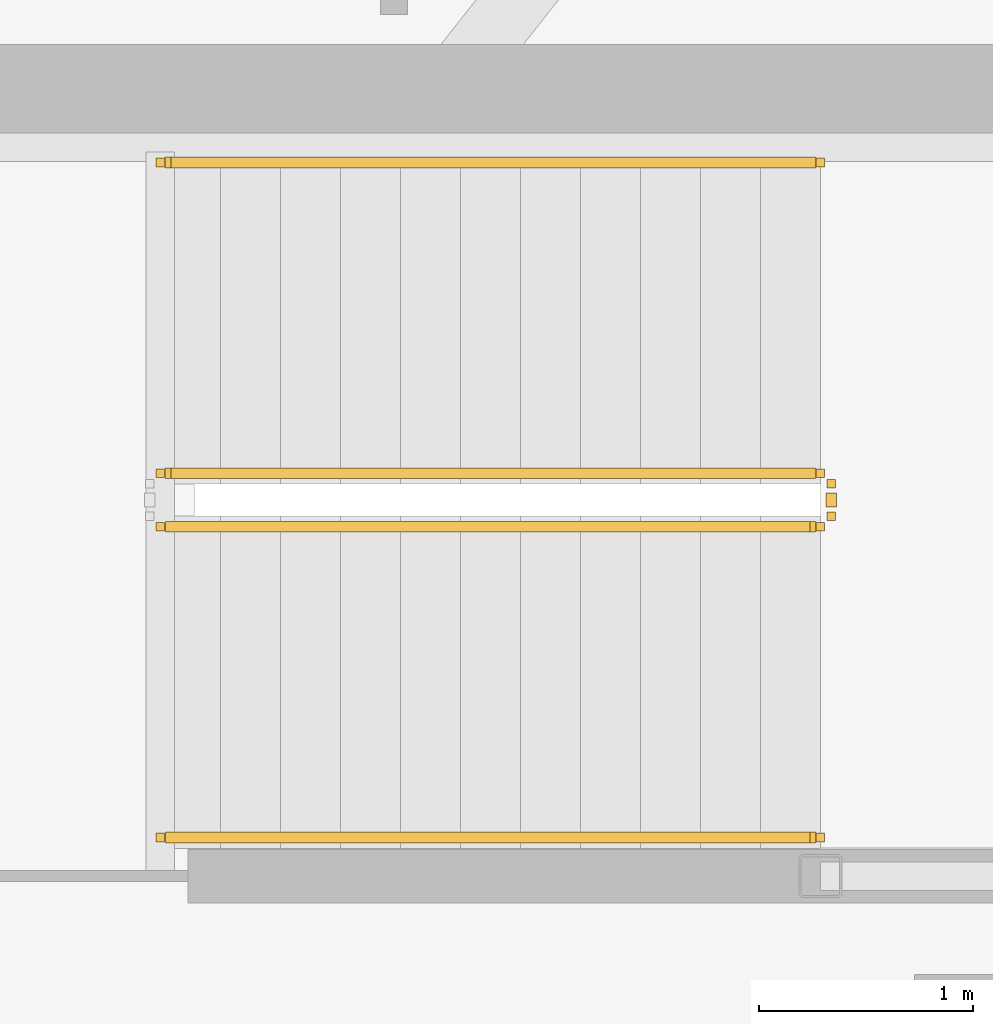
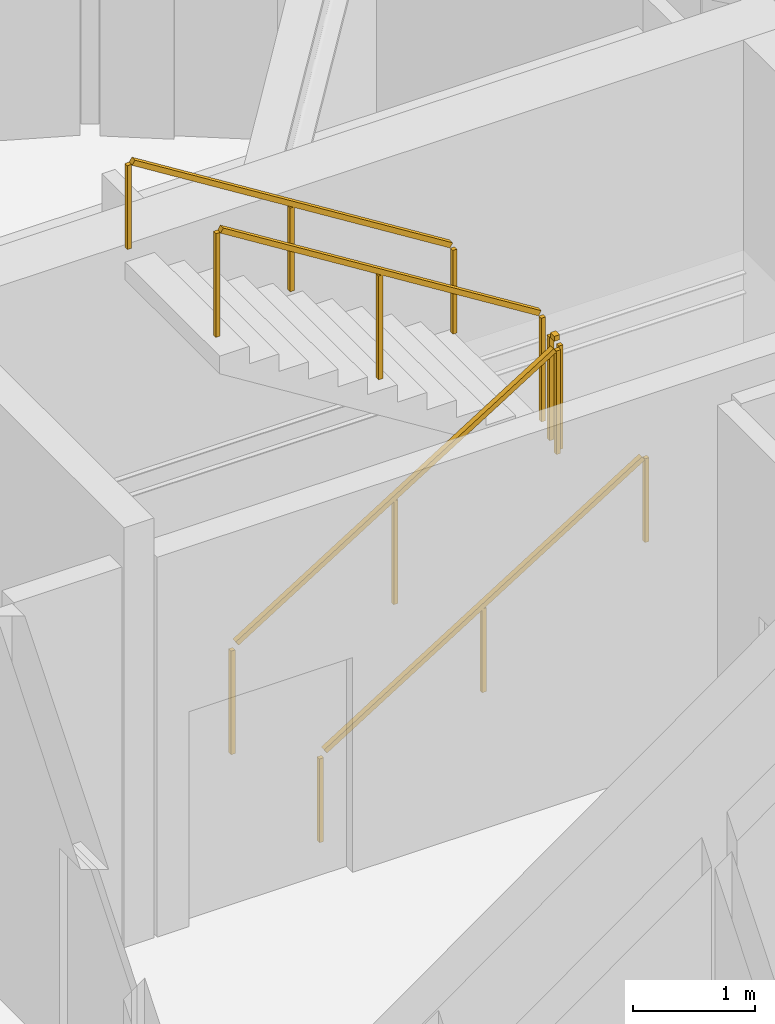
# One storey, part 18 of 19: 5 railings.
"""IFC4 building model written with IfcOpenShell, lengths in metres."""

from ifc_helpers import new_model, si_unit, direction, frame, origin, origin_2d, place, context, subcontext, project, spatial, rectangle, extrude, material, type_object, element, save


model = new_model("IFC4")

# Units and contexts
model_context = context("Model", 3, precision=1e-05, world=origin(), true_north=direction((0.0, 1.0)))
body_context = subcontext(model_context, "Body", "Model", "MODEL_VIEW")
ifc_project = project(units=[si_unit("LENGTHUNIT", "METRE"), si_unit("AREAUNIT", "SQUARE_METRE"), si_unit("VOLUMEUNIT", "CUBIC_METRE"), si_unit("PLANEANGLEUNIT", "RADIAN"), si_unit("MASSUNIT", "GRAM", prefix="KILO")], contexts=[model_context])

# Site, building, storey
site_placement = place(None, origin())
site = spatial("IfcSite", under=ifc_project, at=site_placement, CompositionType="ELEMENT")
building_placement = place(site_placement, origin())
building = spatial("IfcBuilding", under=site, at=building_placement, Name="Kazma Halo Residences", CompositionType="ELEMENT")
storey_placement = place(building_placement, frame((0.0, 0.0, 347.300048828125)))
storey = spatial("IfcBuildingStorey", under=building, at=storey_placement, Name="L87", CompositionType="ELEMENT", Elevation=347.300048828125)

# Railings
ifc_material_1 = material(Name="Painted Steel S355", Category="steel")
railing_type_1 = type_object("IfcRailingType", Name="RLG-STAIR-GRD-1100", PredefinedType="GUARDRAIL", material=ifc_material_1)
railing_1_placement = place(storey_placement, frame((53.199951171875, 48.25, 0.175048828125)))
element("IfcRailing", 1, at=railing_1_placement, inside=storey, type_object=railing_type_1, Name="L87 ST-02 stair guard 1", PredefinedType="GUARDRAIL", context=body_context, shape_type="SweptSolid", body=[
    extrude(rectangle(XDim=0.050048828125, YDim=0.050048828125, at=origin_2d()), frame((0.0361328125, 0.0, 1.09765625), z_axis=(0.848028513186, 0.0, 0.529950602248), x_axis=(0.0, 1.0, 0.0)), (0.0, 0.0, 1.0), 3.546875),
    extrude(rectangle(XDim=0.0400390625, YDim=0.0400390625, at=origin_2d()), origin(), (0.0, 0.0, 1.0), 1.0380859375),
    extrude(rectangle(XDim=0.0400390625, YDim=0.0400390625, at=origin_2d()), frame((1.5400390625, 0.0, 0.96240234375)), (0.0, 0.0, 1.0), 1.0380859375),
    extrude(rectangle(XDim=0.0400390625, YDim=0.0400390625, at=origin_2d()), frame((3.080078125, 0.0, 1.9248046875)), (0.0, 0.0, 1.0), 1.0380859375),
])
railing_2_placement = place(storey_placement, frame((56.330078125, 48.300048828125, 2.099853515625)))
element("IfcRailing", 2, at=railing_2_placement, inside=storey, type_object=railing_type_1, Name="L87 ST-02 stair guard 2", PredefinedType="GUARDRAIL", context=body_context, shape_type="SweptSolid", body=[
    extrude(rectangle(XDim=0.050048828125, YDim=0.050048828125, at=origin_2d()), frame((0.0, 0.04248046875, 1.0751953125), z_axis=(0.0, 1.0, 0.0), x_axis=(-1.0, 0.0, 0.0)), (0.0, 0.0, 1.0), 0.06494140625),
    extrude(rectangle(XDim=0.0400390625, YDim=0.0400390625, at=origin_2d()), origin(), (0.0, 0.0, 1.0), 1.0380859375),
    extrude(rectangle(XDim=0.0400390625, YDim=0.0400390625, at=origin_2d()), frame((0.0, 0.14990234375, 0.0)), (0.0, 0.0, 1.0), 1.0380859375),
])
railing_3_placement = place(storey_placement, frame((56.280029296875, 48.5, 2.27490234375)))
element("IfcRailing", 3, at=railing_3_placement, inside=storey, type_object=railing_type_1, Name="L87 ST-02 stair guard 3", PredefinedType="GUARDRAIL", context=body_context, shape_type="SweptSolid", body=[
    extrude(rectangle(XDim=0.050048828125, YDim=0.050048828125, at=origin_2d()), frame((-0.0361328125, 0.0, 1.09765625), z_axis=(-0.847998304005, 0.0, 0.529998940003), x_axis=(0.0, -1.0, 0.0)), (0.0, 0.0, 1.0), 3.547119140625),
    extrude(rectangle(XDim=0.0400390625, YDim=0.0400390625, at=origin_2d()), origin(), (0.0, 0.0, 1.0), 1.0380859375),
    extrude(rectangle(XDim=0.0400390625, YDim=0.0400390625, at=origin_2d()), frame((-1.5400390625, 0.0, 0.96240234375)), (0.0, 0.0, 1.0), 1.0380859375),
    extrude(rectangle(XDim=0.0400390625, YDim=0.0400390625, at=origin_2d()), frame((-3.080078125, 0.0, 1.925048828125)), (0.0, 0.0, 1.0), 1.0380859375),
])
ifc_material_2 = material(Name="Brushed Stainless Steel", Category="steel")
railing_type_2 = type_object("IfcRailingType", Name="RLG-STAIR-HND-900", PredefinedType="HANDRAIL", material=ifc_material_2)
railing_4_placement = place(storey_placement, frame((53.199951171875, 46.800048828125, 0.175048828125)))
element("IfcRailing", 4, at=railing_4_placement, inside=storey, type_object=railing_type_2, Name="L87 ST-02 stair handrail 1", PredefinedType="HANDRAIL", context=body_context, shape_type="SweptSolid", body=[
    extrude(rectangle(XDim=0.050048828125, YDim=0.050048828125, at=origin_2d()), frame((0.0361328125, 0.0, 0.8974609375), z_axis=(0.848028513186, 0.0, 0.529950602248), x_axis=(0.0, 1.0, 0.0)), (0.0, 0.0, 1.0), 3.546875),
    extrude(rectangle(XDim=0.0400390625, YDim=0.0400390625, at=origin_2d()), origin(), (0.0, 0.0, 1.0), 0.837890625),
    extrude(rectangle(XDim=0.0400390625, YDim=0.0400390625, at=origin_2d()), frame((1.5400390625, 0.0, 0.96240234375)), (0.0, 0.0, 1.0), 0.837890625),
    extrude(rectangle(XDim=0.0400390625, YDim=0.0400390625, at=origin_2d()), frame((3.080078125, 0.0, 1.9248046875)), (0.0, 0.0, 1.0), 0.837890625),
])
railing_5_placement = place(storey_placement, frame((56.280029296875, 49.949951171875, 2.27490234375)))
element("IfcRailing", 5, at=railing_5_placement, inside=storey, type_object=railing_type_2, Name="L87 ST-02 stair handrail 2", PredefinedType="HANDRAIL", context=body_context, shape_type="SweptSolid", body=[
    extrude(rectangle(XDim=0.050048828125, YDim=0.050048828125, at=origin_2d()), frame((-0.0361328125, 0.0, 0.8974609375), z_axis=(-0.847998304005, 0.0, 0.529998940003), x_axis=(0.0, -1.0, 0.0)), (0.0, 0.0, 1.0), 3.547119140625),
    extrude(rectangle(XDim=0.0400390625, YDim=0.0400390625, at=origin_2d()), origin(), (0.0, 0.0, 1.0), 0.837890625),
    extrude(rectangle(XDim=0.0400390625, YDim=0.0400390625, at=origin_2d()), frame((-1.5400390625, 0.0, 0.96240234375)), (0.0, 0.0, 1.0), 0.837890625),
    extrude(rectangle(XDim=0.0400390625, YDim=0.0400390625, at=origin_2d()), frame((-3.080078125, 0.0, 1.925048828125)), (0.0, 0.0, 1.0), 0.837890625),
])

save(model, "model.ifc")
